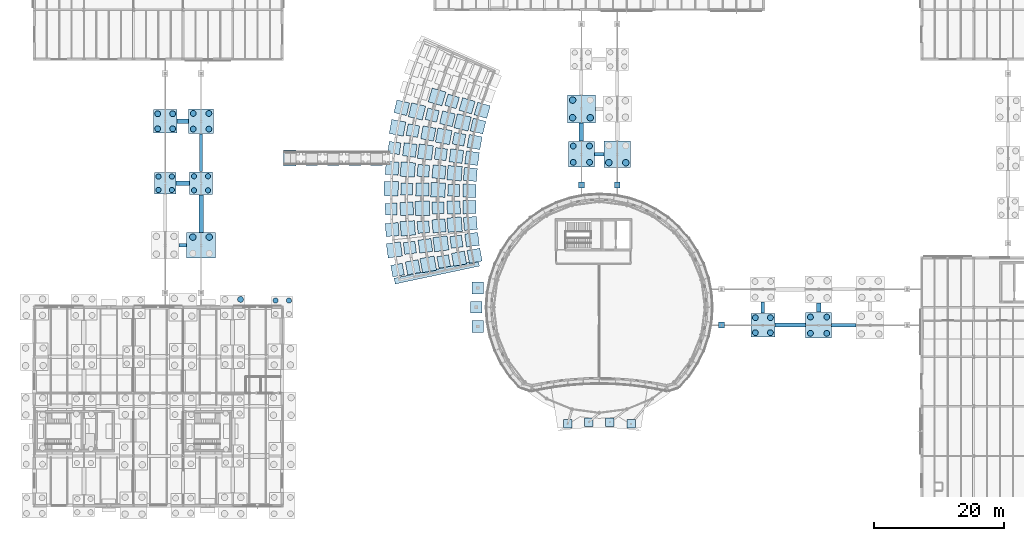
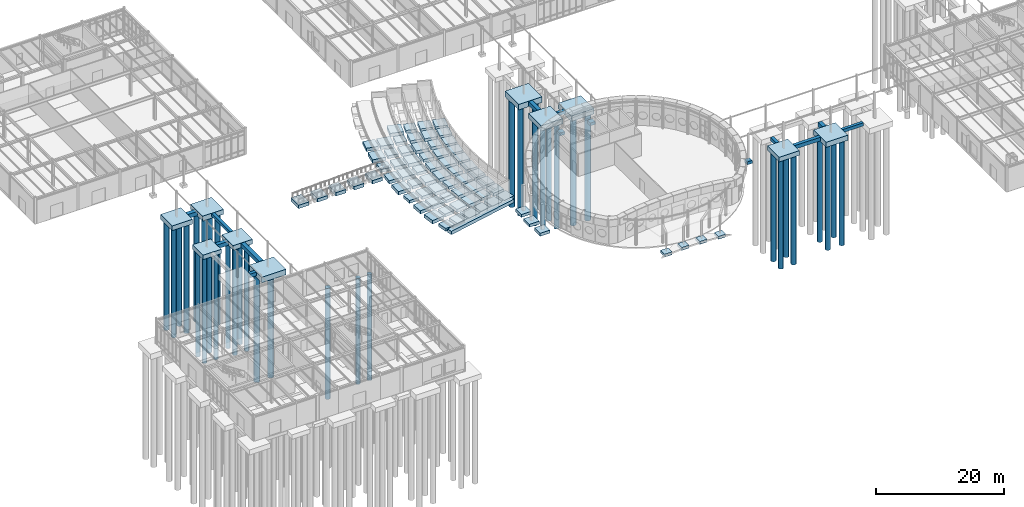
# One storey, part 3 of 109: 95 footings, 38 piles.
"""IFC4 building model written with IfcOpenShell, lengths in metres."""

from ifc_helpers import new_model, si_unit, direction, frame, origin, origin_2d, place, context, subcontext, project, spatial, rectangle, circle, extrude, material, material_profile, profile_set, type_object, element, save


model = new_model("IFC4")

# Units and contexts
model_context = context("Model", 3, precision=1e-05, world=origin(), true_north=direction((0.0, 1.0)))
body_context = subcontext(model_context, "Body", "Model", "MODEL_VIEW")
ifc_project = project(units=[si_unit("LENGTHUNIT", "METRE"), si_unit("AREAUNIT", "SQUARE_METRE"), si_unit("VOLUMEUNIT", "CUBIC_METRE"), si_unit("PLANEANGLEUNIT", "RADIAN"), si_unit("MASSUNIT", "GRAM", prefix="KILO")], contexts=[model_context])

# Site, building, storey
site_placement = place(None, origin())
site = spatial("IfcSite", under=ifc_project, at=site_placement, CompositionType="ELEMENT")
building_placement = place(site_placement, origin())
building = spatial("IfcBuilding", under=site, at=building_placement, Name="Montecoro Central Library", CompositionType="ELEMENT")
storey_placement = place(building_placement, origin())
storey = spatial("IfcBuildingStorey", under=building, at=storey_placement, Name="L00", CompositionType="ELEMENT", Elevation=0.0)

# Footings
ifc_material = material(Name="Concrete C35/45", Category="concrete")
footing_type_1 = type_object("IfcFootingType", Name="FT-PAD-180", PredefinedType="PAD_FOOTING", material=ifc_material)
for number, where, z_axis, x_axis, name in (
    (1, (72.9619140625, 38.35205078125, -0.5498046875), (0.0, 0.0, 1.0), (1.0, 0.0, 0.0), "V1-WTER-PAD-1"),
    (2, (72.72998046875, 35.39990234375, -0.5498046875), (0.0, 0.0, 1.0), (1.0, 0.0, 0.0), "V1-WTER-PAD-2"),
    (3, (72.9619140625, 32.447998046875, -0.5498046875), (0.0, 0.0, 1.0), (1.0, 0.0, 0.0), "V1-WTER-PAD-3"),
    (4, (60.172119140625, 59.81103515625, -0.5498046875), (0.0, 0.0, 1.0), (-0.13052619222, -0.991444861374, 0.0), "V1-STEP-FT-01-06"),
    (5, (59.680908203125, 50.43408203125, -0.5498046875), (0.0, 0.0, 1.0), (0.026176948308, -0.999657324976, 0.0), "V1-STEP-FT-01-09"),
    (6, (60.662109375, 41.094970703125, -0.5498046875), (0.0, 0.0, 1.0), (0.182235525492, -0.983254907564, 0.0), "V1-STEP-FT-01-12"),
    (7, (63.02197265625, 62.468017578125, -0.5498046875), (0.0, 0.0, 1.0), (-0.182235525492, -0.983254907564, 0.0), "V1-STEP-FT-02-05"),
    (8, (62.080078125, 53.50390625, -0.5498046875), (0.0, 0.0, 1.0), (-0.026176948308, -0.999657324976, 0.0), "V1-STEP-FT-02-08"),
    (9, (62.551025390625, 44.5029296875, -0.5498046875), (0.0, 0.0, 1.0), (0.13052619222, -0.991444861374, 0.0), "V1-STEP-FT-02-11"),
    (10, (65.98095703125, 64.84912109375, -0.5498046875), (0.0, 0.0, 1.0), (-0.233445363856, -0.972369920398, 0.0), "V1-STEP-FT-03-04"),
    (11, (64.6298828125, 56.318115234375, -0.5498046875), (0.0, 0.0, 1.0), (-0.078459095728, -0.996917333733, 0.0), "V1-STEP-FT-03-07"),
    (12, (64.6298828125, 47.681884765625, -0.5498046875), (0.0, 0.0, 1.0), (0.078459095728, -0.996917333733, 0.0), "V1-STEP-FT-03-10"),
    (13, (69.028076171875, 66.950927734375, -0.5498046875), (0.0, 0.0, 1.0), (-0.284015344704, -0.958819734868, 0.0), "V1-STEP-FT-04-03"),
    (14, (67.31005859375, 58.87109375, -0.5498046875), (0.0, 0.0, 1.0), (-0.13052619222, -0.991444861374, 0.0), "V1-STEP-FT-04-06"),
    (15, (66.8779296875, 50.6220703125, -0.5498046875), (0.0, 0.0, 1.0), (0.026176948308, -0.999657324976, 0.0), "V1-STEP-FT-04-09"),
    (16, (67.740966796875, 42.406982421875, -0.5498046875), (0.0, 0.0, 1.0), (0.182235525492, -0.983254907564, 0.0), "V1-STEP-FT-04-12"),
    (17, (70.10107421875, 61.156005859375, -0.5498046875), (0.0, 0.0, 1.0), (-0.182235525492, -0.983254907564, 0.0), "V1-STEP-FT-05-05"),
    (18, (69.277099609375, 53.31494140625, -0.5498046875), (0.0, 0.0, 1.0), (-0.026176948308, -0.999657324976, 0.0), "V1-STEP-FT-05-08"),
    (19, (69.68994140625, 45.44189453125, -0.5498046875), (0.0, 0.0, 1.0), (0.13052619222, -0.991444861374, 0.0), "V1-STEP-FT-05-11"),
):
    element("IfcFooting", number, at=place(storey_placement, frame(where, z_axis=z_axis, x_axis=x_axis)), inside=storey, type_object=footing_type_1, Name=name, PredefinedType="PAD_FOOTING", context=body_context, shape_type="SweptSolid", body=[
        extrude(rectangle(XDim=1.800048828125, YDim=1.800048828125, at=origin_2d()), origin(), (0.0, 0.0, 1.0), 0.550048828125),
    ])
for number, where, z_axis, x_axis, name in (
    (20, (96.4541015625, 17.513916015625, -0.5498046875), (0.0, 0.0, 1.0), (1.0, 0.0, 0.0), "CAN-PAD-1-F"),
    (21, (93.220947265625, 17.76806640625, -0.5498046875), (0.0, 0.0, 1.0), (1.0, 0.0, 0.0), "CAN-PAD-2-F"),
    (22, (89.97900390625, 17.76806640625, -0.5498046875), (0.0, 0.0, 1.0), (1.0, 0.0, 0.0), "CAN-PAD-3-F"),
    (23, (86.74609375, 17.513916015625, -0.5498046875), (0.0, 0.0, 1.0), (1.0, 0.0, 0.0), "CAN-PAD-4-F"),
):
    element("IfcFooting", number, at=place(storey_placement, frame(where, z_axis=z_axis, x_axis=x_axis)), inside=storey, type_object=footing_type_1, Name=name, PredefinedType="PAD_FOOTING", context=body_context, shape_type="SweptSolid", body=[
        extrude(rectangle(XDim=1.300048828125, YDim=1.300048828125, at=origin_2d()), origin(), (0.0, 0.0, 1.0), 0.550048828125),
    ])
for number, where, z_axis, x_axis, name in (
    (24, (88.85009765625, 54.1201171875, -0.5498046875), (0.0, 0.0, 1.0), (1.0, 0.0, 0.0), "BR-N-PAD-888-541"),
    (25, (94.35009765625, 54.1201171875, -0.5498046875), (0.0, 0.0, 1.0), (1.0, 0.0, 0.0), "BR-N-PAD-943-541"),
    (26, (110.320068359375, 32.64990234375, -0.5498046875), (0.0, 0.0, 1.0), (1.0, 0.0, 0.0), "BR-SE-PAD-1103-326"),
):
    element("IfcFooting", number, at=place(storey_placement, frame(where, z_axis=z_axis, x_axis=x_axis)), inside=storey, type_object=footing_type_1, Name=name, PredefinedType="PAD_FOOTING", context=body_context, shape_type="SweptSolid", body=[
        extrude(rectangle(XDim=0.89990234375, YDim=0.89990234375, at=origin_2d()), origin(), (0.0, 0.0, 1.0), 0.550048828125),
    ])
for number, where, z_axis, x_axis, name in (
    (27, (47.529052734375, 58.27197265625, -0.64990234375), (0.0, 0.0, 1.0), (1.0, 0.0, 0.0), "V1-RAMP-FLPAD2"),
    (28, (50.8291015625, 58.27197265625, -0.64990234375), (0.0, 0.0, 1.0), (1.0, 0.0, 0.0), "V1-RAMP-FLPAD3"),
    (29, (54.12890625, 58.27197265625, -0.64990234375), (0.0, 0.0, 1.0), (1.0, 0.0, 0.0), "V1-RAMP-FLPAD4"),
    (30, (57.428955078125, 58.27197265625, -0.64990234375), (0.0, 0.0, 1.0), (1.0, 0.0, 0.0), "V1-RAMP-FLPAD5"),
):
    element("IfcFooting", number, at=place(storey_placement, frame(where, z_axis=z_axis, x_axis=x_axis)), inside=storey, type_object=footing_type_1, Name=name, PredefinedType="PAD_FOOTING", context=body_context, shape_type="SweptSolid", body=[
        extrude(rectangle(XDim=1.800048828125, YDim=2.300048828125, at=origin_2d()), origin(), (0.0, 0.0, 1.0), 0.64990234375),
    ])
footing_type_2 = type_object("IfcFootingType", Name="FT-PAD-200", PredefinedType="PAD_FOOTING", material=ifc_material)
for number, where, z_axis, x_axis, name in (
    (31, (61.31298828125, 65.968994140625, -0.60009765625), (0.0, 0.0, 1.0), (-0.233445363856, -0.972369920398, 0.0), "V1-STEP-FT-01-04"),
    (32, (59.843994140625, 56.695068359375, -0.60009765625), (0.0, 0.0, 1.0), (-0.078459095728, -0.996917333733, 0.0), "V1-STEP-FT-01-07"),
    (33, (59.843994140625, 47.304931640625, -0.60009765625), (0.0, 0.0, 1.0), (0.078459095728, -0.996917333733, 0.0), "V1-STEP-FT-01-10"),
    (34, (62.551025390625, 59.4970703125, -0.60009765625), (0.0, 0.0, 1.0), (-0.13052619222, -0.991444861374, 0.0), "V1-STEP-FT-02-06"),
    (35, (62.080078125, 50.49609375, -0.60009765625), (0.0, 0.0, 1.0), (0.026176948308, -0.999657324976, 0.0), "V1-STEP-FT-02-09"),
    (36, (63.02197265625, 41.531982421875, -0.60009765625), (0.0, 0.0, 1.0), (0.182235525492, -0.983254907564, 0.0), "V1-STEP-FT-02-12"),
    (37, (65.382080078125, 62.030029296875, -0.60009765625), (0.0, 0.0, 1.0), (-0.182235525492, -0.983254907564, 0.0), "V1-STEP-FT-03-05"),
    (38, (64.47900390625, 53.44091796875, -0.60009765625), (0.0, 0.0, 1.0), (-0.026176948308, -0.999657324976, 0.0), "V1-STEP-FT-03-08"),
    (39, (64.930908203125, 44.81591796875, -0.60009765625), (0.0, 0.0, 1.0), (0.13052619222, -0.991444861374, 0.0), "V1-STEP-FT-03-11"),
    (40, (68.31396484375, 64.2890625, -0.60009765625), (0.0, 0.0, 1.0), (-0.233445363856, -0.972369920398, 0.0), "V1-STEP-FT-04-04"),
    (41, (67.02197265625, 56.1298828125, -0.60009765625), (0.0, 0.0, 1.0), (-0.078459095728, -0.996917333733, 0.0), "V1-STEP-FT-04-07"),
    (42, (67.02197265625, 47.8701171875, -0.60009765625), (0.0, 0.0, 1.0), (0.078459095728, -0.996917333733, 0.0), "V1-STEP-FT-04-10"),
    (43, (71.3291015625, 66.26904296875, -0.60009765625), (0.0, 0.0, 1.0), (-0.284015344704, -0.958819734868, 0.0), "V1-STEP-FT-05-03"),
    (44, (69.68994140625, 58.55810546875, -0.60009765625), (0.0, 0.0, 1.0), (-0.13052619222, -0.991444861374, 0.0), "V1-STEP-FT-05-06"),
    (45, (69.277099609375, 50.68505859375, -0.60009765625), (0.0, 0.0, 1.0), (0.026176948308, -0.999657324976, 0.0), "V1-STEP-FT-05-09"),
    (46, (70.10107421875, 42.843994140625, -0.60009765625), (0.0, 0.0, 1.0), (0.182235525492, -0.983254907564, 0.0), "V1-STEP-FT-05-12"),
    (47, (73.64892578125, 65.58203125, -0.60009765625), (0.0, 0.0, 1.0), (-0.284015344704, -0.958819734868, 0.0), "FT-PAD-IN-03"),
    (48, (73.0009765625, 63.1630859375, -0.60009765625), (0.0, 0.0, 1.0), (-0.233445363856, -0.972369920398, 0.0), "FT-PAD-IN-04"),
    (49, (72.48095703125, 60.715087890625, -0.60009765625), (0.0, 0.0, 1.0), (-0.182235525492, -0.983254907564, 0.0), "FT-PAD-IN-05"),
    (50, (72.089111328125, 58.241943359375, -0.60009765625), (0.0, 0.0, 1.0), (-0.13052619222, -0.991444861374, 0.0), "FT-PAD-IN-06"),
    (51, (71.826904296875, 55.751953125, -0.60009765625), (0.0, 0.0, 1.0), (-0.078459095728, -0.996917333733, 0.0), "FT-PAD-IN-07"),
    (52, (71.696044921875, 53.251953125, -0.60009765625), (0.0, 0.0, 1.0), (-0.026176948308, -0.999657324976, 0.0), "FT-PAD-IN-08"),
    (53, (71.696044921875, 50.748046875, -0.60009765625), (0.0, 0.0, 1.0), (0.026176948308, -0.999657324976, 0.0), "FT-PAD-IN-09"),
    (54, (71.826904296875, 48.248046875, -0.60009765625), (0.0, 0.0, 1.0), (0.078459095728, -0.996917333733, 0.0), "FT-PAD-IN-10"),
    (55, (72.089111328125, 45.758056640625, -0.60009765625), (0.0, 0.0, 1.0), (0.13052619222, -0.991444861374, 0.0), "FT-PAD-IN-11"),
    (56, (72.48095703125, 43.284912109375, -0.60009765625), (0.0, 0.0, 1.0), (0.182235525492, -0.983254907564, 0.0), "FT-PAD-IN-12"),
):
    element("IfcFooting", number, at=place(storey_placement, frame(where, z_axis=z_axis, x_axis=x_axis)), inside=storey, type_object=footing_type_2, Name=name, PredefinedType="PAD_FOOTING", context=body_context, shape_type="SweptSolid", body=[
        extrude(rectangle(XDim=2.0, YDim=2.0, at=origin_2d()), origin(), (0.0, 0.0, 1.0), 0.60009765625),
    ])
footing_type_3 = type_object("IfcFootingType", Name="FT-PAD-220", PredefinedType="PAD_FOOTING", material=ifc_material)
for number, where, z_axis, x_axis, name in (
    (57, (60.662109375, 62.905029296875, -0.64990234375), (0.0, 0.0, 1.0), (-0.182235525492, -0.983254907564, 0.0), "V1-STEP-FT-01-05"),
    (58, (59.680908203125, 53.56591796875, -0.64990234375), (0.0, 0.0, 1.0), (-0.026176948308, -0.999657324976, 0.0), "V1-STEP-FT-01-08"),
    (59, (60.172119140625, 44.18896484375, -0.64990234375), (0.0, 0.0, 1.0), (0.13052619222, -0.991444861374, 0.0), "V1-STEP-FT-01-11"),
    (60, (63.64697265625, 65.408935546875, -0.64990234375), (0.0, 0.0, 1.0), (-0.233445363856, -0.972369920398, 0.0), "V1-STEP-FT-02-04"),
    (61, (62.237060546875, 56.507080078125, -0.64990234375), (0.0, 0.0, 1.0), (-0.078459095728, -0.996917333733, 0.0), "V1-STEP-FT-02-07"),
    (62, (62.237060546875, 47.492919921875, -0.64990234375), (0.0, 0.0, 1.0), (0.078459095728, -0.996917333733, 0.0), "V1-STEP-FT-02-10"),
    (63, (66.72705078125, 67.632080078125, -0.64990234375), (0.0, 0.0, 1.0), (-0.284015344704, -0.958819734868, 0.0), "V1-STEP-FT-03-03"),
    (64, (64.930908203125, 59.18408203125, -0.64990234375), (0.0, 0.0, 1.0), (-0.13052619222, -0.991444861374, 0.0), "V1-STEP-FT-03-06"),
    (65, (64.47900390625, 50.55908203125, -0.64990234375), (0.0, 0.0, 1.0), (0.026176948308, -0.999657324976, 0.0), "V1-STEP-FT-03-09"),
    (66, (65.382080078125, 41.969970703125, -0.64990234375), (0.0, 0.0, 1.0), (0.182235525492, -0.983254907564, 0.0), "V1-STEP-FT-03-12"),
    (67, (67.740966796875, 61.593017578125, -0.64990234375), (0.0, 0.0, 1.0), (-0.182235525492, -0.983254907564, 0.0), "V1-STEP-FT-04-05"),
    (68, (66.8779296875, 53.3779296875, -0.64990234375), (0.0, 0.0, 1.0), (-0.026176948308, -0.999657324976, 0.0), "V1-STEP-FT-04-08"),
    (69, (67.31005859375, 45.12890625, -0.64990234375), (0.0, 0.0, 1.0), (0.13052619222, -0.991444861374, 0.0), "V1-STEP-FT-04-11"),
    (70, (70.64794921875, 63.72802734375, -0.64990234375), (0.0, 0.0, 1.0), (-0.233445363856, -0.972369920398, 0.0), "V1-STEP-FT-05-04"),
    (71, (69.4150390625, 55.94189453125, -0.64990234375), (0.0, 0.0, 1.0), (-0.078459095728, -0.996917333733, 0.0), "V1-STEP-FT-05-07"),
    (72, (69.4150390625, 48.05810546875, -0.64990234375), (0.0, 0.0, 1.0), (0.078459095728, -0.996917333733, 0.0), "V1-STEP-FT-05-10"),
):
    element("IfcFooting", number, at=place(storey_placement, frame(where, z_axis=z_axis, x_axis=x_axis)), inside=storey, type_object=footing_type_3, Name=name, PredefinedType="PAD_FOOTING", context=body_context, shape_type="SweptSolid", body=[
        extrude(rectangle(XDim=2.199951171875, YDim=2.199951171875, at=origin_2d()), origin(), (0.0, 0.0, 1.0), 0.64990234375),
    ])
footing_type_4 = type_object("IfcFootingType", Name="FT-PAD-RAFT", PredefinedType="PAD_FOOTING", material=ifc_material)
footing_1_placement = place(storey_placement, frame((44.12890625, 58.27197265625, -0.64990234375), z_axis=(0.0, 0.0, 1.0), x_axis=(1.0, 0.0, 0.0)))
element("IfcFooting", 73, at=footing_1_placement, inside=storey, type_object=footing_type_4, Name="V1-RAMP-RAFT", PredefinedType="PAD_FOOTING", context=body_context, shape_type="SweptSolid", body=[
    extrude(rectangle(XDim=1.89990234375, YDim=2.39990234375, at=origin_2d()), origin(), (0.0, 0.0, 1.0), 0.64990234375),
])
footing_type_5 = type_object("IfcFootingType", Name="FT-PC-330", PredefinedType="PILE_CAP", material=ifc_material)
footing_2_placement = place(storey_placement, frame((25.050048828125, 54.39990234375, -0.85009765625), z_axis=(0.0, 0.0, 1.0), x_axis=(1.0, 0.0, 0.0)))
element("IfcFooting", 74, at=footing_2_placement, inside=storey, type_object=footing_type_5, Name="BR-W-CAP-250-544", PredefinedType="PILE_CAP", context=body_context, shape_type="SweptSolid", body=[
    extrude(rectangle(XDim=3.300048828125, YDim=3.300048828125, at=origin_2d()), origin(), (0.0, 0.0, 1.0), 0.85009765625),
])
footing_type_6 = type_object("IfcFootingType", Name="FT-PC-350", PredefinedType="PILE_CAP", material=ifc_material)
footing_3_placement = place(storey_placement, frame((30.550048828125, 54.39990234375, -0.8798828125), z_axis=(0.0, 0.0, 1.0), x_axis=(1.0, 0.0, 0.0)))
element("IfcFooting", 75, at=footing_3_placement, inside=storey, type_object=footing_type_6, Name="BR-W-CAP-305-544", PredefinedType="PILE_CAP", context=body_context, shape_type="SweptSolid", body=[
    extrude(rectangle(XDim=3.5, YDim=3.5, at=origin_2d()), origin(), (0.0, 0.0, 1.0), 0.8798828125),
])
footing_type_7 = type_object("IfcFootingType", Name="FT-PC-365", PredefinedType="PILE_CAP", material=ifc_material)
for number, where, z_axis, x_axis, name in (
    (76, (25.050048828125, 63.89990234375, -0.89990234375), (0.0, 0.0, 1.0), (1.0, 0.0, 0.0), "BR-W-CAP-250-639"),
    (77, (116.659912109375, 32.64990234375, -0.89990234375), (0.0, 0.0, 1.0), (1.0, 0.0, 0.0), "BR-SE-CAP-1166-326"),
):
    element("IfcFooting", number, at=place(storey_placement, frame(where, z_axis=z_axis, x_axis=x_axis)), inside=storey, type_object=footing_type_7, Name=name, PredefinedType="PILE_CAP", context=body_context, shape_type="SweptSolid", body=[
        extrude(rectangle(XDim=3.64990234375, YDim=3.64990234375, at=origin_2d()), origin(), (0.0, 0.0, 1.0), 0.89990234375),
    ])
footing_type_8 = type_object("IfcFootingType", Name="FT-PC-380", PredefinedType="PILE_CAP", material=ifc_material)
footing_4_placement = place(storey_placement, frame((30.550048828125, 63.89990234375, -0.9501953125), z_axis=(0.0, 0.0, 1.0), x_axis=(1.0, 0.0, 0.0)))
element("IfcFooting", 78, at=footing_4_placement, inside=storey, type_object=footing_type_8, Name="BR-W-CAP-305-639", PredefinedType="PILE_CAP", context=body_context, shape_type="SweptSolid", body=[
    extrude(rectangle(XDim=3.800048828125, YDim=3.800048828125, at=origin_2d()), origin(), (0.0, 0.0, 1.0), 0.949951171875),
])
footing_type_9 = type_object("IfcFootingType", Name="FT-PC-395", PredefinedType="PILE_CAP", material=ifc_material)
for number, where, z_axis, x_axis, name in (
    (79, (88.85009765625, 58.860107421875, -0.97998046875), (0.0, 0.0, 1.0), (1.0, 0.0, 0.0), "BR-N-CAP-888-588"),
    (80, (125.199951171875, 32.64990234375, -0.97998046875), (0.0, 0.0, 1.0), (1.0, 0.0, 0.0), "BR-SE-CAP-1252-326"),
):
    element("IfcFooting", number, at=place(storey_placement, frame(where, z_axis=z_axis, x_axis=x_axis)), inside=storey, type_object=footing_type_9, Name=name, PredefinedType="PILE_CAP", context=body_context, shape_type="SweptSolid", body=[
        extrude(rectangle(XDim=3.949951171875, YDim=3.949951171875, at=origin_2d()), origin(), (0.0, 0.0, 1.0), 0.97998046875),
    ])
footing_type_10 = type_object("IfcFootingType", Name="FT-PC-410", PredefinedType="PILE_CAP", material=ifc_material)
footing_5_placement = place(storey_placement, frame((94.35009765625, 58.860107421875, -1.02001953125), z_axis=(0.0, 0.0, 1.0), x_axis=(1.0, 0.0, 0.0)))
element("IfcFooting", 81, at=footing_5_placement, inside=storey, type_object=footing_type_10, Name="BR-N-CAP-943-588", PredefinedType="PILE_CAP", context=body_context, shape_type="SweptSolid", body=[
    extrude(rectangle(XDim=4.10009765625, YDim=4.10009765625, at=origin_2d()), origin(), (0.0, 0.0, 1.0), 1.02001953125),
])
footing_type_11 = type_object("IfcFootingType", Name="FT-PC-425", PredefinedType="PILE_CAP", material=ifc_material)
footing_6_placement = place(storey_placement, frame((88.85009765625, 65.800048828125, -1.06005859375), z_axis=(0.0, 0.0, 1.0), x_axis=(1.0, 0.0, 0.0)))
element("IfcFooting", 82, at=footing_6_placement, inside=storey, type_object=footing_type_11, Name="BR-N-CAP-888-658", PredefinedType="PILE_CAP", context=body_context, shape_type="SweptSolid", body=[
    extrude(rectangle(XDim=4.25, YDim=4.25, at=origin_2d()), origin(), (0.0, 0.0, 1.0), 1.06005859375),
])
footing_type_12 = type_object("IfcFootingType", Name="FT-PC-440", PredefinedType="PILE_CAP", material=ifc_material)
footing_7_placement = place(storey_placement, frame((30.550048828125, 44.89990234375, -1.0498046875), z_axis=(0.0, 0.0, 1.0), x_axis=(1.0, 0.0, 0.0)))
element("IfcFooting", 83, at=footing_7_placement, inside=storey, type_object=footing_type_12, Name="BR-W-CAP-305-449", PredefinedType="PILE_CAP", context=body_context, shape_type="SweptSolid", body=[
    extrude(rectangle(XDim=4.39990234375, YDim=3.89990234375, at=origin_2d()), origin(), (0.0, 0.0, 1.0), 1.050048828125),
])
footing_type_13 = type_object("IfcFootingType", Name="FT-TB-01", PredefinedType="FOOTING_BEAM", material=ifc_material)
footing_8_placement = place(storey_placement, frame((30.550048828125, 59.074951171875, -0.60009765625), z_axis=(0.0, 0.0, 1.0), x_axis=(1.0, 0.0, 0.0)))
element("IfcFooting", 84, at=footing_8_placement, inside=storey, type_object=footing_type_13, Name="FT-TBY-270", PredefinedType="FOOTING_BEAM", context=body_context, shape_type="SweptSolid", body=[
    extrude(rectangle(XDim=0.5, YDim=5.81005859375, at=origin_2d()), origin(), (0.0, 0.0, 1.0), 0.60009765625),
])
footing_9_placement = place(storey_placement, frame((91.56201171875, 58.860107421875, -0.60009765625), z_axis=(0.0, 0.0, 1.0), x_axis=(1.0, 0.0, 0.0)))
element("IfcFooting", 85, at=footing_9_placement, inside=storey, type_object=footing_type_13, Name="FT-TBX-285", PredefinedType="FOOTING_BEAM", context=body_context, shape_type="SweptSolid", body=[
    extrude(rectangle(XDim=1.43505859375, YDim=0.5, at=origin_2d()), origin(), (0.0, 0.0, 1.0), 0.60009765625),
])
footing_10_placement = place(storey_placement, frame((129.074951171875, 32.64990234375, -0.60009765625), z_axis=(0.0, 0.0, 1.0), x_axis=(1.0, 0.0, 0.0)))
element("IfcFooting", 86, at=footing_10_placement, inside=storey, type_object=footing_type_13, Name="FT-TBX-295", PredefinedType="FOOTING_BEAM", context=body_context, shape_type="SweptSolid", body=[
    extrude(rectangle(XDim=3.760009765625, YDim=0.5, at=origin_2d()), origin(), (0.0, 0.0, 1.0), 0.60009765625),
])
footing_type_14 = type_object("IfcFootingType", Name="FT-TB-02", PredefinedType="FOOTING_BEAM", material=ifc_material)
footing_11_placement = place(storey_placement, frame((66.679931640625, 40.77294921875, -0.64990234375), z_axis=(0.0, 0.0, 1.0), x_axis=(-0.978147600734, -0.207911690818, 0.0)))
element("IfcFooting", 87, at=footing_11_placement, inside=storey, type_object=footing_type_14, Name="FT-TB-CHK-S", PredefinedType="FOOTING_BEAM", context=body_context, shape_type="SweptSolid", body=[
    extrude(rectangle(XDim=13.199951171875, YDim=0.89990234375, at=origin_2d()), origin(), (0.0, 0.0, 1.0), 0.64990234375),
])
footing_12_placement = place(storey_placement, frame((116.659912109375, 35.362060546875, -0.64990234375), z_axis=(0.0, 0.0, 1.0), x_axis=(1.0, 0.0, 0.0)))
element("IfcFooting", 88, at=footing_12_placement, inside=storey, type_object=footing_type_14, Name="FT-TBY-291", PredefinedType="FOOTING_BEAM", context=body_context, shape_type="SweptSolid", body=[
    extrude(rectangle(XDim=0.550048828125, YDim=1.735107421875, at=origin_2d()), origin(), (0.0, 0.0, 1.0), 0.64990234375),
])
footing_type_15 = type_object("IfcFootingType", Name="FT-TB-03", PredefinedType="FOOTING_BEAM", material=ifc_material)
footing_13_placement = place(storey_placement, frame((27.761962890625, 44.89990234375, -0.7001953125), z_axis=(0.0, 0.0, 1.0), x_axis=(1.0, 0.0, 0.0)))
element("IfcFooting", 89, at=footing_13_placement, inside=storey, type_object=footing_type_15, Name="FT-TBX-257", PredefinedType="FOOTING_BEAM", context=body_context, shape_type="SweptSolid", body=[
    extrude(rectangle(XDim=1.135009765625, YDim=0.60009765625, at=origin_2d()), origin(), (0.0, 0.0, 1.0), 0.699951171875),
])
footing_14_placement = place(storey_placement, frame((120.85498046875, 32.64990234375, -0.7001953125), z_axis=(0.0, 0.0, 1.0), x_axis=(1.0, 0.0, 0.0)))
element("IfcFooting", 90, at=footing_14_placement, inside=storey, type_object=footing_type_15, Name="FT-TBX-292", PredefinedType="FOOTING_BEAM", context=body_context, shape_type="SweptSolid", body=[
    extrude(rectangle(XDim=4.699951171875, YDim=0.60009765625, at=origin_2d()), origin(), (0.0, 0.0, 1.0), 0.699951171875),
])
footing_type_16 = type_object("IfcFootingType", Name="FT-TB-04", PredefinedType="FOOTING_BEAM", material=ifc_material)
footing_15_placement = place(storey_placement, frame((27.75, 54.39990234375, -0.75), z_axis=(0.0, 0.0, 1.0), x_axis=(1.0, 0.0, 0.0)))
element("IfcFooting", 91, at=footing_15_placement, inside=storey, type_object=footing_type_16, Name="FT-TBX-258", PredefinedType="FOOTING_BEAM", context=body_context, shape_type="SweptSolid", body=[
    extrude(rectangle(XDim=2.06005859375, YDim=0.64990234375, at=origin_2d()), origin(), (0.0, 0.0, 1.0), 0.75),
])
footing_type_17 = type_object("IfcFootingType", Name="FT-TB-05", PredefinedType="FOOTING_BEAM", material=ifc_material)
footing_16_placement = place(storey_placement, frame((27.761962890625, 63.89990234375, -0.7998046875), z_axis=(0.0, 0.0, 1.0), x_axis=(1.0, 0.0, 0.0)))
element("IfcFooting", 92, at=footing_16_placement, inside=storey, type_object=footing_type_17, Name="FT-TBX-259", PredefinedType="FOOTING_BEAM", context=body_context, shape_type="SweptSolid", body=[
    extrude(rectangle(XDim=1.735107421875, YDim=0.699951171875, at=origin_2d()), origin(), (0.0, 0.0, 1.0), 0.800048828125),
])
footing_17_placement = place(storey_placement, frame((30.550048828125, 49.75, -0.7998046875), z_axis=(0.0, 0.0, 1.0), x_axis=(1.0, 0.0, 0.0)))
element("IfcFooting", 93, at=footing_17_placement, inside=storey, type_object=footing_type_17, Name="FT-TBY-269", PredefinedType="FOOTING_BEAM", context=body_context, shape_type="SweptSolid", body=[
    extrude(rectangle(XDim=0.699951171875, YDim=5.760009765625, at=origin_2d()), origin(), (0.0, 0.0, 1.0), 0.800048828125),
])
footing_18_placement = place(storey_placement, frame((88.85009765625, 62.2548828125, -0.7998046875), z_axis=(0.0, 0.0, 1.0), x_axis=(1.0, 0.0, 0.0)))
element("IfcFooting", 94, at=footing_18_placement, inside=storey, type_object=footing_type_17, Name="FT-TBY-284", PredefinedType="FOOTING_BEAM", context=body_context, shape_type="SweptSolid", body=[
    extrude(rectangle(XDim=0.699951171875, YDim=2.800048828125, at=origin_2d()), origin(), (0.0, 0.0, 1.0), 0.800048828125),
])
footing_19_placement = place(storey_placement, frame((125.199951171875, 35.362060546875, -0.7998046875), z_axis=(0.0, 0.0, 1.0), x_axis=(1.0, 0.0, 0.0)))
element("IfcFooting", 95, at=footing_19_placement, inside=storey, type_object=footing_type_17, Name="FT-TBY-294", PredefinedType="FOOTING_BEAM", context=body_context, shape_type="SweptSolid", body=[
    extrude(rectangle(XDim=0.699951171875, YDim=1.43505859375, at=origin_2d()), origin(), (0.0, 0.0, 1.0), 0.800048828125),
])

# Piles
ifc_material_profile_1 = material_profile(ifc_material, circle(Radius=0.5, at=origin_2d()), Name="PILE D1000")
ifc_profile_set_1 = profile_set([ifc_material_profile_1], Name="Concrete C35/45")
pile_type_1 = type_object("IfcPileType", Name="PL-BORED-1000", PredefinedType="BORED", material=ifc_profile_set_1)
for number, where, z_axis, x_axis, name in (
    (96, (93.050048828125, 57.56005859375, -0.919921875), (0.0, 0.0, -1.0), (1.0, 0.0, 0.0), "BR-N-CAP-943-588-P1"),
    (97, (95.64990234375, 57.56005859375, -0.919921875), (0.0, 0.0, -1.0), (1.0, 0.0, 0.0), "BR-N-CAP-943-588-P3"),
):
    element("IfcPile", number, at=place(storey_placement, frame(where, z_axis=z_axis, x_axis=x_axis)), inside=storey, type_object=pile_type_1, Name=name, PredefinedType="BORED", context=body_context, shape_type="SweptSolid", body=[
        extrude(circle(Radius=0.5, at=origin_2d()), origin(), (0.0, 0.0, 1.0), 20.429931640625),
    ])
for number, where, z_axis, x_axis, name in (
    (98, (87.5, 64.449951171875, -0.9599609375), (0.0, 0.0, -1.0), (1.0, 0.0, 0.0), "BR-N-CAP-888-658-P1"),
    (99, (87.5, 67.14990234375, -0.9599609375), (0.0, 0.0, -1.0), (1.0, 0.0, 0.0), "BR-N-CAP-888-658-P2"),
    (100, (90.199951171875, 64.449951171875, -0.9599609375), (0.0, 0.0, -1.0), (1.0, 0.0, 0.0), "BR-N-CAP-888-658-P3"),
):
    element("IfcPile", number, at=place(storey_placement, frame(where, z_axis=z_axis, x_axis=x_axis)), inside=storey, type_object=pile_type_1, Name=name, PredefinedType="BORED", context=body_context, shape_type="SweptSolid", body=[
        extrude(circle(Radius=0.5, at=origin_2d()), origin(), (0.0, 0.0, 1.0), 20.739990234375),
    ])
for number, where, z_axis, x_axis, name in (
    (101, (29.300048828125, 46.14990234375, -0.949951171875), (0.0, 0.0, -1.0), (1.0, 0.0, 0.0), "BR-W-CAP-305-449-P2"),
    (102, (31.800048828125, 46.14990234375, -0.949951171875), (0.0, 0.0, -1.0), (1.0, 0.0, 0.0), "BR-W-CAP-305-449-P4"),
):
    element("IfcPile", number, at=place(storey_placement, frame(where, z_axis=z_axis, x_axis=x_axis)), inside=storey, type_object=pile_type_1, Name=name, PredefinedType="BORED", context=body_context, shape_type="SweptSolid", body=[
        extrude(circle(Radius=0.5, at=origin_2d()), origin(), (0.0, 0.0, 1.0), 21.10009765625),
    ])
ifc_material_profile_2 = material_profile(ifc_material, circle(Radius=0.39990234375, at=origin_2d()), Name="PILE D800")
ifc_profile_set_2 = profile_set([ifc_material_profile_2], Name="Concrete C35/45")
pile_type_2 = type_object("IfcPileType", Name="PL-BORED-800", PredefinedType="BORED", material=ifc_profile_set_2)
for number, where, z_axis, x_axis, name in (
    (103, (41.97509765625, 36.425048828125, -0.75), (0.0, 0.0, -1.0), (1.0, 0.0, 0.0), "V3-CAP-6-E-P2"),
    (104, (44.02490234375, 36.425048828125, -0.75), (0.0, 0.0, -1.0), (1.0, 0.0, 0.0), "V3-CAP-6-E-P4"),
    (105, (24.02490234375, 53.375, -0.75), (0.0, 0.0, -1.0), (1.0, 0.0, 0.0), "BR-W-CAP-250-544-P1"),
    (106, (24.02490234375, 55.425048828125, -0.75), (0.0, 0.0, -1.0), (1.0, 0.0, 0.0), "BR-W-CAP-250-544-P2"),
    (107, (26.074951171875, 53.375, -0.75), (0.0, 0.0, -1.0), (1.0, 0.0, 0.0), "BR-W-CAP-250-544-P3"),
    (108, (26.074951171875, 55.425048828125, -0.75), (0.0, 0.0, -1.0), (1.0, 0.0, 0.0), "BR-W-CAP-250-544-P4"),
):
    element("IfcPile", number, at=place(storey_placement, frame(where, z_axis=z_axis, x_axis=x_axis)), inside=storey, type_object=pile_type_2, Name=name, PredefinedType="BORED", context=body_context, shape_type="SweptSolid", body=[
        extrude(circle(Radius=0.39990234375, at=origin_2d()), origin(), (0.0, 0.0, 1.0), 20.25),
    ])
for number, where, z_axis, x_axis, name in (
    (109, (29.47509765625, 53.324951171875, -0.780029296875), (0.0, 0.0, -1.0), (1.0, 0.0, 0.0), "BR-W-CAP-305-544-P1"),
    (110, (29.47509765625, 55.47509765625, -0.780029296875), (0.0, 0.0, -1.0), (1.0, 0.0, 0.0), "BR-W-CAP-305-544-P2"),
    (111, (31.625, 53.324951171875, -0.780029296875), (0.0, 0.0, -1.0), (1.0, 0.0, 0.0), "BR-W-CAP-305-544-P3"),
    (112, (31.625, 55.47509765625, -0.780029296875), (0.0, 0.0, -1.0), (1.0, 0.0, 0.0), "BR-W-CAP-305-544-P4"),
):
    element("IfcPile", number, at=place(storey_placement, frame(where, z_axis=z_axis, x_axis=x_axis)), inside=storey, type_object=pile_type_2, Name=name, PredefinedType="BORED", context=body_context, shape_type="SweptSolid", body=[
        extrude(circle(Radius=0.39990234375, at=origin_2d()), origin(), (0.0, 0.0, 1.0), 20.570068359375),
    ])
ifc_material_profile_3 = material_profile(ifc_material, circle(Radius=0.449951171875, at=origin_2d()), Name="PILE D900")
ifc_profile_set_3 = profile_set([ifc_material_profile_3], Name="Concrete C35/45")
pile_type_3 = type_object("IfcPileType", Name="PL-BORED-900", PredefinedType="BORED", material=ifc_profile_set_3)
pile_placement = place(storey_placement, frame((36.60009765625, 36.60009765625, -0.85009765625), z_axis=(0.0, 0.0, -1.0), x_axis=(1.0, 0.0, 0.0)))
element("IfcPile", 113, at=pile_placement, inside=storey, type_object=pile_type_3, Name="V3-CAP-5-E-P4", PredefinedType="BORED", context=body_context, shape_type="SweptSolid", body=[
    extrude(circle(Radius=0.449951171875, at=origin_2d()), origin(), (0.0, 0.0, 1.0), 21.199951171875),
])
for number, where, z_axis, x_axis, name in (
    (114, (87.60009765625, 57.610107421875, -0.8798828125), (0.0, 0.0, -1.0), (1.0, 0.0, 0.0), "BR-N-CAP-888-588-P1"),
    (115, (87.60009765625, 60.110107421875, -0.8798828125), (0.0, 0.0, -1.0), (1.0, 0.0, 0.0), "BR-N-CAP-888-588-P2"),
    (116, (90.10009765625, 57.610107421875, -0.8798828125), (0.0, 0.0, -1.0), (1.0, 0.0, 0.0), "BR-N-CAP-888-588-P3"),
    (117, (90.10009765625, 60.110107421875, -0.8798828125), (0.0, 0.0, -1.0), (1.0, 0.0, 0.0), "BR-N-CAP-888-588-P4"),
):
    element("IfcPile", number, at=place(storey_placement, frame(where, z_axis=z_axis, x_axis=x_axis)), inside=storey, type_object=pile_type_3, Name=name, PredefinedType="BORED", context=body_context, shape_type="SweptSolid", body=[
        extrude(circle(Radius=0.449951171875, at=origin_2d()), origin(), (0.0, 0.0, 1.0), 20.1201171875),
    ])
for number, where, z_axis, x_axis, name in (
    (118, (23.89990234375, 62.75, -0.800048828125), (0.0, 0.0, -1.0), (1.0, 0.0, 0.0), "BR-W-CAP-250-639-P1"),
    (119, (23.89990234375, 65.050048828125, -0.800048828125), (0.0, 0.0, -1.0), (1.0, 0.0, 0.0), "BR-W-CAP-250-639-P2"),
    (120, (26.199951171875, 62.75, -0.800048828125), (0.0, 0.0, -1.0), (1.0, 0.0, 0.0), "BR-W-CAP-250-639-P3"),
    (121, (26.199951171875, 65.050048828125, -0.800048828125), (0.0, 0.0, -1.0), (1.0, 0.0, 0.0), "BR-W-CAP-250-639-P4"),
):
    element("IfcPile", number, at=place(storey_placement, frame(where, z_axis=z_axis, x_axis=x_axis)), inside=storey, type_object=pile_type_3, Name=name, PredefinedType="BORED", context=body_context, shape_type="SweptSolid", body=[
        extrude(circle(Radius=0.449951171875, at=origin_2d()), origin(), (0.0, 0.0, 1.0), 20.89990234375),
    ])
for number, where, z_axis, x_axis, name in (
    (122, (29.35009765625, 62.699951171875, -0.85009765625), (0.0, 0.0, -1.0), (1.0, 0.0, 0.0), "BR-W-CAP-305-639-P1"),
    (123, (29.35009765625, 65.10009765625, -0.85009765625), (0.0, 0.0, -1.0), (1.0, 0.0, 0.0), "BR-W-CAP-305-639-P2"),
    (124, (31.75, 62.699951171875, -0.85009765625), (0.0, 0.0, -1.0), (1.0, 0.0, 0.0), "BR-W-CAP-305-639-P3"),
    (125, (31.75, 65.10009765625, -0.85009765625), (0.0, 0.0, -1.0), (1.0, 0.0, 0.0), "BR-W-CAP-305-639-P4"),
):
    element("IfcPile", number, at=place(storey_placement, frame(where, z_axis=z_axis, x_axis=x_axis)), inside=storey, type_object=pile_type_3, Name=name, PredefinedType="BORED", context=body_context, shape_type="SweptSolid", body=[
        extrude(circle(Radius=0.449951171875, at=origin_2d()), origin(), (0.0, 0.0, 1.0), 21.199951171875),
    ])
for number, where, z_axis, x_axis, name in (
    (126, (115.510009765625, 31.5, -0.800048828125), (0.0, 0.0, -1.0), (1.0, 0.0, 0.0), "BR-SE-CAP-1166-326-P1"),
    (127, (115.510009765625, 33.800048828125, -0.800048828125), (0.0, 0.0, -1.0), (1.0, 0.0, 0.0), "BR-SE-CAP-1166-326-P2"),
    (128, (117.81005859375, 31.5, -0.800048828125), (0.0, 0.0, -1.0), (1.0, 0.0, 0.0), "BR-SE-CAP-1166-326-P3"),
    (129, (117.81005859375, 33.800048828125, -0.800048828125), (0.0, 0.0, -1.0), (1.0, 0.0, 0.0), "BR-SE-CAP-1166-326-P4"),
):
    element("IfcPile", number, at=place(storey_placement, frame(where, z_axis=z_axis, x_axis=x_axis)), inside=storey, type_object=pile_type_3, Name=name, PredefinedType="BORED", context=body_context, shape_type="SweptSolid", body=[
        extrude(circle(Radius=0.449951171875, at=origin_2d()), origin(), (0.0, 0.0, 1.0), 20.89990234375),
    ])
for number, where, z_axis, x_axis, name in (
    (130, (123.949951171875, 31.39990234375, -0.8798828125), (0.0, 0.0, -1.0), (1.0, 0.0, 0.0), "BR-SE-CAP-1252-326-P1"),
    (131, (123.949951171875, 33.89990234375, -0.8798828125), (0.0, 0.0, -1.0), (1.0, 0.0, 0.0), "BR-SE-CAP-1252-326-P2"),
    (132, (126.449951171875, 31.39990234375, -0.8798828125), (0.0, 0.0, -1.0), (1.0, 0.0, 0.0), "BR-SE-CAP-1252-326-P3"),
    (133, (126.449951171875, 33.89990234375, -0.8798828125), (0.0, 0.0, -1.0), (1.0, 0.0, 0.0), "BR-SE-CAP-1252-326-P4"),
):
    element("IfcPile", number, at=place(storey_placement, frame(where, z_axis=z_axis, x_axis=x_axis)), inside=storey, type_object=pile_type_3, Name=name, PredefinedType="BORED", context=body_context, shape_type="SweptSolid", body=[
        extrude(circle(Radius=0.449951171875, at=origin_2d()), origin(), (0.0, 0.0, 1.0), 20.1201171875),
    ])

save(model, "model.ifc")
